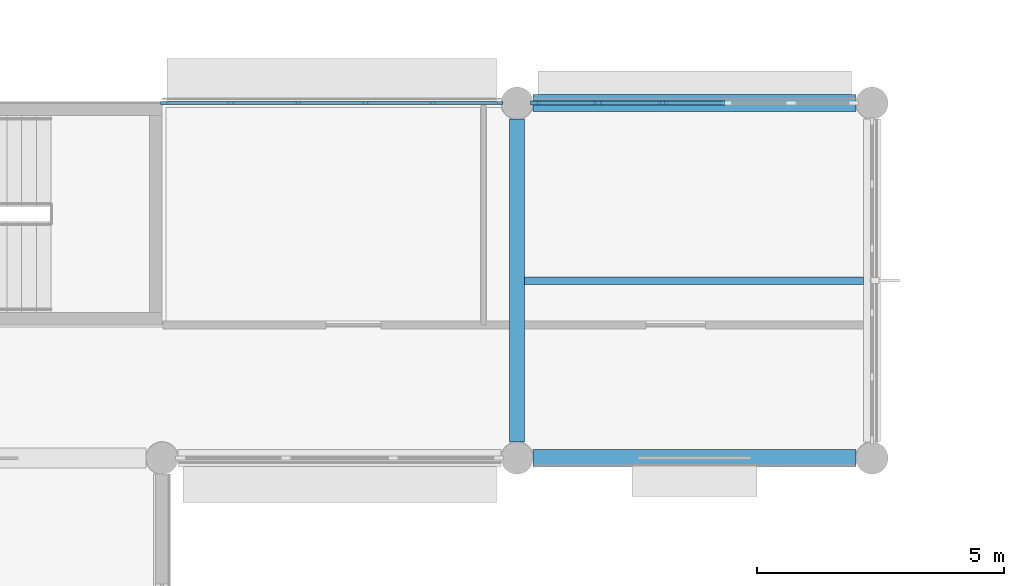
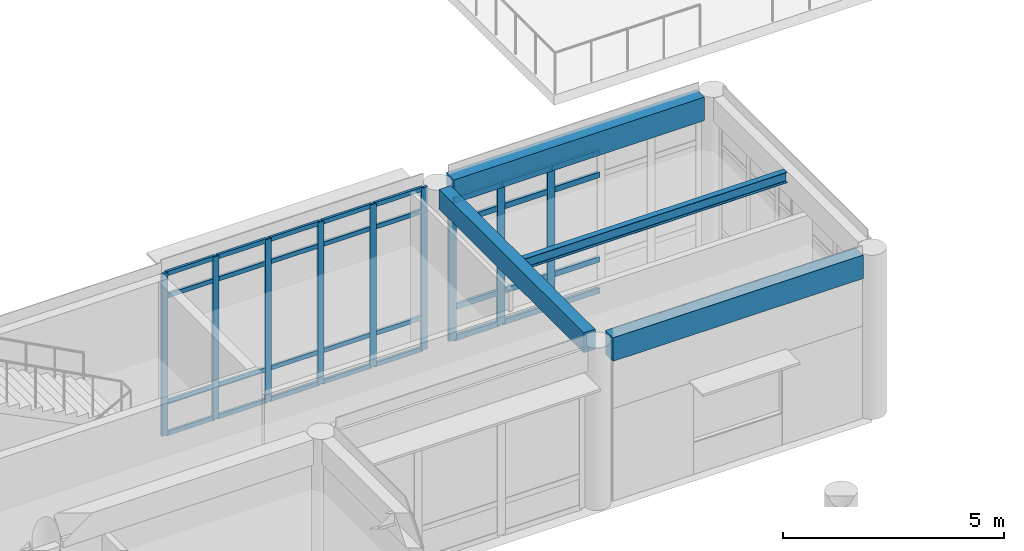
# One storey, part 15 of 92: 41 members, 4 beams, 2 elements without a shape of their own.
"""IFC4 building model written with IfcOpenShell, lengths in metres."""

from ifc_helpers import new_model, si_unit, direction, frame, origin, origin_2d, place, context, subcontext, project, spatial, rectangle, i_section, extrude, material, layer, layer_set, material_profile, profile_set, type_object, element, aggregate, save


model = new_model("IFC4")

# Units and contexts
model_context = context("Model", 3, precision=1e-05, world=origin(), true_north=direction((0.0, 1.0)))
body_context = subcontext(model_context, "Body", "Model", "MODEL_VIEW")
ifc_project = project(units=[si_unit("LENGTHUNIT", "METRE"), si_unit("AREAUNIT", "SQUARE_METRE"), si_unit("VOLUMEUNIT", "CUBIC_METRE"), si_unit("PLANEANGLEUNIT", "RADIAN"), si_unit("MASSUNIT", "GRAM", prefix="KILO")], contexts=[model_context])

# Site, building, storey
site_placement = place(None, origin())
site = spatial("IfcSite", under=ifc_project, at=site_placement, CompositionType="ELEMENT")
building_placement = place(site_placement, origin())
building = spatial("IfcBuilding", under=site, at=building_placement, Name="Namkhue Oval Health Centre", CompositionType="ELEMENT")
storey_placement = place(building_placement, frame((0.0, 0.0, 4.800048828125)))
storey = spatial("IfcBuildingStorey", under=building, at=storey_placement, Name="L01", CompositionType="ELEMENT", Elevation=4.800048828125)

# Curtain wall, members
ifc_material_1 = material(Name="Anodised aluminium EN AW-6063 T6", Category="aluminium")
ifc_layer_1 = layer(ifc_material_1, 0.159912109375)
ifc_layer_set_1 = layer_set([ifc_layer_1], Name="Anodised aluminium EN AW-6063 T6")
curtain_wall_type_1 = type_object("IfcCurtainWallType", Name="UNITISED CURTAIN WALL M1500", PredefinedType="NOTDEFINED", material=ifc_layer_set_1)
curtain_wall_1_placement = place(storey_placement, origin())
curtain_wall_1 = element("IfcCurtainWall", 1, at=curtain_wall_1_placement, inside=storey, type_object=curtain_wall_type_1, Name="Volume V5 L01 Unitised Curtain Wall 195", PredefinedType="NOTDEFINED")
ifc_material_profile_1 = material_profile(ifc_material_1, rectangle(XDim=0.06494140625, YDim=0.159912109375, at=origin_2d()), Name="ALU 65x160")
ifc_profile_set_1 = profile_set([ifc_material_profile_1], Name="Anodised aluminium EN AW-6063 T6")
member_type_1 = type_object("IfcMemberType", Name="CURTAIN WALL MULLION 65X160", PredefinedType="MULLION", material=ifc_profile_set_1)
member_1_placement = place(storey_placement, frame((129.232421875, 28.800048828125, 0.0), z_axis=(0.0, 0.0, 1.0), x_axis=(0.0, -1.0, 0.0)))
member_1 = element("IfcMember", 2, at=member_1_placement, type_object=member_type_1, Name="CW-03 mullion 1", PredefinedType="MULLION", context=body_context, shape_type="SweptSolid", body=[
    extrude(rectangle(XDim=0.06494140625, YDim=0.159912109375, at=origin_2d()), origin(), (0.0, 0.0, 1.0), 4.489990234375),
])
member_2_placement = place(storey_placement, frame((127.8955078125, 28.800048828125, 0.0), z_axis=(0.0, 0.0, 1.0), x_axis=(0.0, -1.0, 0.0)))
member_2 = element("IfcMember", 3, at=member_2_placement, type_object=member_type_1, Name="CW-03 mullion 2", PredefinedType="MULLION", context=body_context, shape_type="SweptSolid", body=[
    extrude(rectangle(XDim=0.06494140625, YDim=0.159912109375, at=origin_2d()), origin(), (0.0, 0.0, 1.0), 4.489990234375),
])
member_3_placement = place(storey_placement, frame((126.52587890625, 28.800048828125, 0.0), z_axis=(0.0, 0.0, 1.0), x_axis=(0.0, -1.0, 0.0)))
member_3 = element("IfcMember", 4, at=member_3_placement, type_object=member_type_1, Name="CW-03 mullion 3", PredefinedType="MULLION", context=body_context, shape_type="SweptSolid", body=[
    extrude(rectangle(XDim=0.06494140625, YDim=0.159912109375, at=origin_2d()), origin(), (0.0, 0.0, 1.0), 4.489990234375),
])
member_4_placement = place(storey_placement, frame((125.15625, 28.800048828125, 0.0), z_axis=(0.0, 0.0, 1.0), x_axis=(0.0, -1.0, 0.0)))
member_4 = element("IfcMember", 5, at=member_4_placement, type_object=member_type_1, Name="CW-03 mullion 4", PredefinedType="MULLION", context=body_context, shape_type="SweptSolid", body=[
    extrude(rectangle(XDim=0.06494140625, YDim=0.159912109375, at=origin_2d()), origin(), (0.0, 0.0, 1.0), 4.489990234375),
])
member_5_placement = place(storey_placement, frame((123.78662109375, 28.800048828125, 0.0), z_axis=(0.0, 0.0, 1.0), x_axis=(0.0, -1.0, 0.0)))
member_5 = element("IfcMember", 6, at=member_5_placement, type_object=member_type_1, Name="CW-03 mullion 5", PredefinedType="MULLION", context=body_context, shape_type="SweptSolid", body=[
    extrude(rectangle(XDim=0.06494140625, YDim=0.159912109375, at=origin_2d()), origin(), (0.0, 0.0, 1.0), 4.489990234375),
])
member_6_placement = place(storey_placement, frame((122.449462890625, 28.800048828125, 0.0), z_axis=(0.0, 0.0, 1.0), x_axis=(0.0, -1.0, 0.0)))
member_6 = element("IfcMember", 7, at=member_6_placement, type_object=member_type_1, Name="CW-03 mullion 6", PredefinedType="MULLION", context=body_context, shape_type="SweptSolid", body=[
    extrude(rectangle(XDim=0.06494140625, YDim=0.159912109375, at=origin_2d()), origin(), (0.0, 0.0, 1.0), 4.489990234375),
])

ifc_layer_2 = layer(ifc_material_1, 0.159912109375)
ifc_layer_set_2 = layer_set([ifc_layer_2], Name="Anodised aluminium EN AW-6063 T6")
curtain_wall_type_2 = type_object("IfcCurtainWallType", Name="UNITISED CURTAIN WALL M1350", PredefinedType="NOTDEFINED", material=ifc_layer_set_2)
curtain_wall_2_placement = place(storey_placement, origin())
curtain_wall_2 = element("IfcCurtainWall", 8, at=curtain_wall_2_placement, inside=storey, type_object=curtain_wall_type_2, Name="Volume V5 L01 Unitised Curtain Wall 194", PredefinedType="NOTDEFINED")
ifc_material_profile_2 = material_profile(ifc_material_1, rectangle(XDim=0.074951171875, YDim=0.199951171875, at=origin_2d()), Name="ALU 75x200")
ifc_profile_set_2 = profile_set([ifc_material_profile_2], Name="Anodised aluminium EN AW-6063 T6")
member_type_2 = type_object("IfcMemberType", Name="CURTAIN WALL MULLION 75X200", PredefinedType="MULLION", material=ifc_profile_set_2)
member_7_placement = place(storey_placement, frame((132.547119140625, 28.800048828125, 0.0), z_axis=(0.0, 0.0, 1.0), x_axis=(0.0, -1.0, 0.0)))
member_7 = element("IfcMember", 9, at=member_7_placement, type_object=member_type_2, Name="CW-02 mullion 4", PredefinedType="MULLION", context=body_context, shape_type="SweptSolid", body=[
    extrude(rectangle(XDim=0.074951171875, YDim=0.199951171875, at=origin_2d()), origin(), (0.0, 0.0, 1.0), 3.887939453125),
])
member_8_placement = place(storey_placement, frame((131.240966796875, 28.800048828125, 0.0), z_axis=(0.0, 0.0, 1.0), x_axis=(0.0, -1.0, 0.0)))
member_8 = element("IfcMember", 10, at=member_8_placement, type_object=member_type_2, Name="CW-02 mullion 5", PredefinedType="MULLION", context=body_context, shape_type="SweptSolid", body=[
    extrude(rectangle(XDim=0.074951171875, YDim=0.199951171875, at=origin_2d()), origin(), (0.0, 0.0, 1.0), 3.887939453125),
])
member_9_placement = place(storey_placement, frame((129.972412109375, 28.800048828125, 0.0), z_axis=(0.0, 0.0, 1.0), x_axis=(0.0, -1.0, 0.0)))
member_9 = element("IfcMember", 11, at=member_9_placement, type_object=member_type_2, Name="CW-02 mullion 6", PredefinedType="MULLION", context=body_context, shape_type="SweptSolid", body=[
    extrude(rectangle(XDim=0.074951171875, YDim=0.199951171875, at=origin_2d()), origin(), (0.0, 0.0, 1.0), 3.887939453125),
])

# Member
ifc_material_profile_3 = material_profile(ifc_material_1, rectangle(XDim=0.06494140625, YDim=0.1201171875, at=origin_2d()), Name="ALU 65x120")
ifc_profile_set_3 = profile_set([ifc_material_profile_3], Name="Anodised aluminium EN AW-6063 T6")
member_type_3 = type_object("IfcMemberType", Name="CURTAIN WALL TRANSOM 65X120", PredefinedType="USERDEFINED", material=ifc_profile_set_3)
member_10_placement = place(storey_placement, frame((129.199951171875, 28.800048828125, 0.032470703125), z_axis=(-1.0, 0.0, 0.0), x_axis=(0.0, -1.0, 0.0)))
member_10 = element("IfcMember", 12, at=member_10_placement, type_object=member_type_3, Name="CW-03 transom 1.1", ObjectType="TRANSOM", PredefinedType="USERDEFINED", context=body_context, shape_type="SweptSolid", body=[
    extrude(rectangle(XDim=0.06494140625, YDim=0.1201171875, at=origin_2d()), origin(), (0.0, 0.0, 1.0), 1.27197265625),
])

member_11_placement = place(storey_placement, frame((129.199951171875, 28.800048828125, 0.89990234375), z_axis=(-1.0, 0.0, 0.0), x_axis=(0.0, -1.0, 0.0)))
member_11 = element("IfcMember", 13, at=member_11_placement, type_object=member_type_3, Name="CW-03 transom 1.2", ObjectType="TRANSOM", PredefinedType="USERDEFINED", context=body_context, shape_type="SweptSolid", body=[
    extrude(rectangle(XDim=0.06494140625, YDim=0.1201171875, at=origin_2d()), origin(), (0.0, 0.0, 1.0), 1.27197265625),
])

member_12_placement = place(storey_placement, frame((129.199951171875, 28.800048828125, 3.83984375), z_axis=(-1.0, 0.0, 0.0), x_axis=(0.0, -1.0, 0.0)))
member_12 = element("IfcMember", 14, at=member_12_placement, type_object=member_type_3, Name="CW-03 transom 1.3", ObjectType="TRANSOM", PredefinedType="USERDEFINED", context=body_context, shape_type="SweptSolid", body=[
    extrude(rectangle(XDim=0.06494140625, YDim=0.1201171875, at=origin_2d()), origin(), (0.0, 0.0, 1.0), 1.27197265625),
])

member_13_placement = place(storey_placement, frame((129.199951171875, 28.800048828125, 4.45751953125), z_axis=(-1.0, 0.0, 0.0), x_axis=(0.0, -1.0, 0.0)))
member_13 = element("IfcMember", 15, at=member_13_placement, type_object=member_type_3, Name="CW-03 transom 1.4", ObjectType="TRANSOM", PredefinedType="USERDEFINED", context=body_context, shape_type="SweptSolid", body=[
    extrude(rectangle(XDim=0.06494140625, YDim=0.1201171875, at=origin_2d()), origin(), (0.0, 0.0, 1.0), 1.27197265625),
])

member_14_placement = place(storey_placement, frame((127.86279296875, 28.800048828125, 0.032470703125), z_axis=(-1.0, 0.0, 0.0), x_axis=(0.0, -1.0, 0.0)))
member_14 = element("IfcMember", 16, at=member_14_placement, type_object=member_type_3, Name="CW-03 transom 2.1", ObjectType="TRANSOM", PredefinedType="USERDEFINED", context=body_context, shape_type="SweptSolid", body=[
    extrude(rectangle(XDim=0.06494140625, YDim=0.1201171875, at=origin_2d()), origin(), (0.0, 0.0, 1.0), 1.304443359375),
])

member_15_placement = place(storey_placement, frame((127.86279296875, 28.800048828125, 0.89990234375), z_axis=(-1.0, 0.0, 0.0), x_axis=(0.0, -1.0, 0.0)))
member_15 = element("IfcMember", 17, at=member_15_placement, type_object=member_type_3, Name="CW-03 transom 2.2", ObjectType="TRANSOM", PredefinedType="USERDEFINED", context=body_context, shape_type="SweptSolid", body=[
    extrude(rectangle(XDim=0.06494140625, YDim=0.1201171875, at=origin_2d()), origin(), (0.0, 0.0, 1.0), 1.304443359375),
])

member_16_placement = place(storey_placement, frame((127.86279296875, 28.800048828125, 3.83984375), z_axis=(-1.0, 0.0, 0.0), x_axis=(0.0, -1.0, 0.0)))
member_16 = element("IfcMember", 18, at=member_16_placement, type_object=member_type_3, Name="CW-03 transom 2.3", ObjectType="TRANSOM", PredefinedType="USERDEFINED", context=body_context, shape_type="SweptSolid", body=[
    extrude(rectangle(XDim=0.06494140625, YDim=0.1201171875, at=origin_2d()), origin(), (0.0, 0.0, 1.0), 1.304443359375),
])

member_17_placement = place(storey_placement, frame((127.86279296875, 28.800048828125, 4.45751953125), z_axis=(-1.0, 0.0, 0.0), x_axis=(0.0, -1.0, 0.0)))
member_17 = element("IfcMember", 19, at=member_17_placement, type_object=member_type_3, Name="CW-03 transom 2.4", ObjectType="TRANSOM", PredefinedType="USERDEFINED", context=body_context, shape_type="SweptSolid", body=[
    extrude(rectangle(XDim=0.06494140625, YDim=0.1201171875, at=origin_2d()), origin(), (0.0, 0.0, 1.0), 1.304443359375),
])

member_18_placement = place(storey_placement, frame((126.493408203125, 28.800048828125, 0.032470703125), z_axis=(-1.0, 0.0, 0.0), x_axis=(0.0, -1.0, 0.0)))
member_18 = element("IfcMember", 20, at=member_18_placement, type_object=member_type_3, Name="CW-03 transom 3.1", ObjectType="TRANSOM", PredefinedType="USERDEFINED", context=body_context, shape_type="SweptSolid", body=[
    extrude(rectangle(XDim=0.06494140625, YDim=0.1201171875, at=origin_2d()), origin(), (0.0, 0.0, 1.0), 1.3046875),
])

member_19_placement = place(storey_placement, frame((126.493408203125, 28.800048828125, 0.89990234375), z_axis=(-1.0, 0.0, 0.0), x_axis=(0.0, -1.0, 0.0)))
member_19 = element("IfcMember", 21, at=member_19_placement, type_object=member_type_3, Name="CW-03 transom 3.2", ObjectType="TRANSOM", PredefinedType="USERDEFINED", context=body_context, shape_type="SweptSolid", body=[
    extrude(rectangle(XDim=0.06494140625, YDim=0.1201171875, at=origin_2d()), origin(), (0.0, 0.0, 1.0), 1.3046875),
])

member_20_placement = place(storey_placement, frame((126.493408203125, 28.800048828125, 3.83984375), z_axis=(-1.0, 0.0, 0.0), x_axis=(0.0, -1.0, 0.0)))
member_20 = element("IfcMember", 22, at=member_20_placement, type_object=member_type_3, Name="CW-03 transom 3.3", ObjectType="TRANSOM", PredefinedType="USERDEFINED", context=body_context, shape_type="SweptSolid", body=[
    extrude(rectangle(XDim=0.06494140625, YDim=0.1201171875, at=origin_2d()), origin(), (0.0, 0.0, 1.0), 1.3046875),
])

member_21_placement = place(storey_placement, frame((126.493408203125, 28.800048828125, 4.45751953125), z_axis=(-1.0, 0.0, 0.0), x_axis=(0.0, -1.0, 0.0)))
member_21 = element("IfcMember", 23, at=member_21_placement, type_object=member_type_3, Name="CW-03 transom 3.4", ObjectType="TRANSOM", PredefinedType="USERDEFINED", context=body_context, shape_type="SweptSolid", body=[
    extrude(rectangle(XDim=0.06494140625, YDim=0.1201171875, at=origin_2d()), origin(), (0.0, 0.0, 1.0), 1.3046875),
])

member_22_placement = place(storey_placement, frame((125.123779296875, 28.800048828125, 0.032470703125), z_axis=(-1.0, 0.0, 0.0), x_axis=(0.0, -1.0, 0.0)))
member_22 = element("IfcMember", 24, at=member_22_placement, type_object=member_type_3, Name="CW-03 transom 4.1", ObjectType="TRANSOM", PredefinedType="USERDEFINED", context=body_context, shape_type="SweptSolid", body=[
    extrude(rectangle(XDim=0.06494140625, YDim=0.1201171875, at=origin_2d()), origin(), (0.0, 0.0, 1.0), 1.3046875),
])

member_23_placement = place(storey_placement, frame((125.123779296875, 28.800048828125, 0.89990234375), z_axis=(-1.0, 0.0, 0.0), x_axis=(0.0, -1.0, 0.0)))
member_23 = element("IfcMember", 25, at=member_23_placement, type_object=member_type_3, Name="CW-03 transom 4.2", ObjectType="TRANSOM", PredefinedType="USERDEFINED", context=body_context, shape_type="SweptSolid", body=[
    extrude(rectangle(XDim=0.06494140625, YDim=0.1201171875, at=origin_2d()), origin(), (0.0, 0.0, 1.0), 1.3046875),
])

member_24_placement = place(storey_placement, frame((125.123779296875, 28.800048828125, 3.83984375), z_axis=(-1.0, 0.0, 0.0), x_axis=(0.0, -1.0, 0.0)))
member_24 = element("IfcMember", 26, at=member_24_placement, type_object=member_type_3, Name="CW-03 transom 4.3", ObjectType="TRANSOM", PredefinedType="USERDEFINED", context=body_context, shape_type="SweptSolid", body=[
    extrude(rectangle(XDim=0.06494140625, YDim=0.1201171875, at=origin_2d()), origin(), (0.0, 0.0, 1.0), 1.3046875),
])

member_25_placement = place(storey_placement, frame((125.123779296875, 28.800048828125, 4.45751953125), z_axis=(-1.0, 0.0, 0.0), x_axis=(0.0, -1.0, 0.0)))
member_25 = element("IfcMember", 27, at=member_25_placement, type_object=member_type_3, Name="CW-03 transom 4.4", ObjectType="TRANSOM", PredefinedType="USERDEFINED", context=body_context, shape_type="SweptSolid", body=[
    extrude(rectangle(XDim=0.06494140625, YDim=0.1201171875, at=origin_2d()), origin(), (0.0, 0.0, 1.0), 1.3046875),
])

member_26_placement = place(storey_placement, frame((123.754150390625, 28.800048828125, 0.032470703125), z_axis=(-1.0, 0.0, 0.0), x_axis=(0.0, -1.0, 0.0)))
member_26 = element("IfcMember", 28, at=member_26_placement, type_object=member_type_3, Name="CW-03 transom 5.1", ObjectType="TRANSOM", PredefinedType="USERDEFINED", context=body_context, shape_type="SweptSolid", body=[
    extrude(rectangle(XDim=0.06494140625, YDim=0.1201171875, at=origin_2d()), origin(), (0.0, 0.0, 1.0), 1.272216796875),
])

member_27_placement = place(storey_placement, frame((123.754150390625, 28.800048828125, 0.89990234375), z_axis=(-1.0, 0.0, 0.0), x_axis=(0.0, -1.0, 0.0)))
member_27 = element("IfcMember", 29, at=member_27_placement, type_object=member_type_3, Name="CW-03 transom 5.2", ObjectType="TRANSOM", PredefinedType="USERDEFINED", context=body_context, shape_type="SweptSolid", body=[
    extrude(rectangle(XDim=0.06494140625, YDim=0.1201171875, at=origin_2d()), origin(), (0.0, 0.0, 1.0), 1.272216796875),
])

member_28_placement = place(storey_placement, frame((123.754150390625, 28.800048828125, 3.83984375), z_axis=(-1.0, 0.0, 0.0), x_axis=(0.0, -1.0, 0.0)))
member_28 = element("IfcMember", 30, at=member_28_placement, type_object=member_type_3, Name="CW-03 transom 5.3", ObjectType="TRANSOM", PredefinedType="USERDEFINED", context=body_context, shape_type="SweptSolid", body=[
    extrude(rectangle(XDim=0.06494140625, YDim=0.1201171875, at=origin_2d()), origin(), (0.0, 0.0, 1.0), 1.272216796875),
])

member_29_placement = place(storey_placement, frame((123.754150390625, 28.800048828125, 4.45751953125), z_axis=(-1.0, 0.0, 0.0), x_axis=(0.0, -1.0, 0.0)))
member_29 = element("IfcMember", 31, at=member_29_placement, type_object=member_type_3, Name="CW-03 transom 5.4", ObjectType="TRANSOM", PredefinedType="USERDEFINED", context=body_context, shape_type="SweptSolid", body=[
    extrude(rectangle(XDim=0.06494140625, YDim=0.1201171875, at=origin_2d()), origin(), (0.0, 0.0, 1.0), 1.272216796875),
])

aggregate(curtain_wall_1, [member_1, member_2, member_3, member_4, member_5, member_6, member_10, member_11, member_12, member_13, member_14, member_15, member_16, member_17, member_18, member_19, member_20, member_21, member_22, member_23, member_24, member_25, member_26, member_27, member_28, member_29])

ifc_material_profile_4 = material_profile(ifc_material_1, rectangle(XDim=0.074951171875, YDim=0.14990234375, at=origin_2d()), Name="ALU 75x150")
ifc_profile_set_4 = profile_set([ifc_material_profile_4], Name="Anodised aluminium EN AW-6063 T6")
member_type_4 = type_object("IfcMemberType", Name="CURTAIN WALL TRANSOM 75X150", PredefinedType="USERDEFINED", material=ifc_profile_set_4)
member_30_placement = place(storey_placement, frame((133.8154296875, 28.800048828125, 0.037353515625), z_axis=(-1.0, 0.0, 0.0), x_axis=(0.0, -1.0, 0.0)))
member_30 = element("IfcMember", 32, at=member_30_placement, type_object=member_type_4, Name="CW-02 transom 3.1", ObjectType="TRANSOM", PredefinedType="USERDEFINED", context=body_context, shape_type="SweptSolid", body=[
    extrude(rectangle(XDim=0.074951171875, YDim=0.14990234375, at=origin_2d()), origin(), (0.0, 0.0, 1.0), 1.23095703125),
])

member_31_placement = place(storey_placement, frame((133.8154296875, 28.800048828125, 0.89990234375), z_axis=(-1.0, 0.0, 0.0), x_axis=(0.0, -1.0, 0.0)))
member_31 = element("IfcMember", 33, at=member_31_placement, type_object=member_type_4, Name="CW-02 transom 3.2", ObjectType="TRANSOM", PredefinedType="USERDEFINED", context=body_context, shape_type="SweptSolid", body=[
    extrude(rectangle(XDim=0.074951171875, YDim=0.14990234375, at=origin_2d()), origin(), (0.0, 0.0, 1.0), 1.23095703125),
])

member_32_placement = place(storey_placement, frame((133.8154296875, 28.800048828125, 3.238037109375), z_axis=(-1.0, 0.0, 0.0), x_axis=(0.0, -1.0, 0.0)))
member_32 = element("IfcMember", 34, at=member_32_placement, type_object=member_type_4, Name="CW-02 transom 3.3", ObjectType="TRANSOM", PredefinedType="USERDEFINED", context=body_context, shape_type="SweptSolid", body=[
    extrude(rectangle(XDim=0.074951171875, YDim=0.14990234375, at=origin_2d()), origin(), (0.0, 0.0, 1.0), 1.23095703125),
])

member_33_placement = place(storey_placement, frame((133.8154296875, 28.800048828125, 3.850341796875), z_axis=(-1.0, 0.0, 0.0), x_axis=(0.0, -1.0, 0.0)))
member_33 = element("IfcMember", 35, at=member_33_placement, type_object=member_type_4, Name="CW-02 transom 3.4", ObjectType="TRANSOM", PredefinedType="USERDEFINED", context=body_context, shape_type="SweptSolid", body=[
    extrude(rectangle(XDim=0.074951171875, YDim=0.14990234375, at=origin_2d()), origin(), (0.0, 0.0, 1.0), 1.23095703125),
])

member_34_placement = place(storey_placement, frame((132.509521484375, 28.800048828125, 0.037353515625), z_axis=(-1.0, 0.0, 0.0), x_axis=(0.0, -1.0, 0.0)))
member_34 = element("IfcMember", 36, at=member_34_placement, type_object=member_type_4, Name="CW-02 transom 4.1", ObjectType="TRANSOM", PredefinedType="USERDEFINED", context=body_context, shape_type="SweptSolid", body=[
    extrude(rectangle(XDim=0.074951171875, YDim=0.14990234375, at=origin_2d()), origin(), (0.0, 0.0, 1.0), 1.23095703125),
])

member_35_placement = place(storey_placement, frame((132.509521484375, 28.800048828125, 0.89990234375), z_axis=(-1.0, 0.0, 0.0), x_axis=(0.0, -1.0, 0.0)))
member_35 = element("IfcMember", 37, at=member_35_placement, type_object=member_type_4, Name="CW-02 transom 4.2", ObjectType="TRANSOM", PredefinedType="USERDEFINED", context=body_context, shape_type="SweptSolid", body=[
    extrude(rectangle(XDim=0.074951171875, YDim=0.14990234375, at=origin_2d()), origin(), (0.0, 0.0, 1.0), 1.23095703125),
])

member_36_placement = place(storey_placement, frame((132.509521484375, 28.800048828125, 3.238037109375), z_axis=(-1.0, 0.0, 0.0), x_axis=(0.0, -1.0, 0.0)))
member_36 = element("IfcMember", 38, at=member_36_placement, type_object=member_type_4, Name="CW-02 transom 4.3", ObjectType="TRANSOM", PredefinedType="USERDEFINED", context=body_context, shape_type="SweptSolid", body=[
    extrude(rectangle(XDim=0.074951171875, YDim=0.14990234375, at=origin_2d()), origin(), (0.0, 0.0, 1.0), 1.23095703125),
])

member_37_placement = place(storey_placement, frame((132.509521484375, 28.800048828125, 3.850341796875), z_axis=(-1.0, 0.0, 0.0), x_axis=(0.0, -1.0, 0.0)))
member_37 = element("IfcMember", 39, at=member_37_placement, type_object=member_type_4, Name="CW-02 transom 4.4", ObjectType="TRANSOM", PredefinedType="USERDEFINED", context=body_context, shape_type="SweptSolid", body=[
    extrude(rectangle(XDim=0.074951171875, YDim=0.14990234375, at=origin_2d()), origin(), (0.0, 0.0, 1.0), 1.23095703125),
])

member_38_placement = place(storey_placement, frame((131.20361328125, 28.800048828125, 0.037353515625), z_axis=(-1.0, 0.0, 0.0), x_axis=(0.0, -1.0, 0.0)))
member_38 = element("IfcMember", 40, at=member_38_placement, type_object=member_type_4, Name="CW-02 transom 5.1", ObjectType="TRANSOM", PredefinedType="USERDEFINED", context=body_context, shape_type="SweptSolid", body=[
    extrude(rectangle(XDim=0.074951171875, YDim=0.14990234375, at=origin_2d()), origin(), (0.0, 0.0, 1.0), 1.193603515625),
])

member_39_placement = place(storey_placement, frame((131.20361328125, 28.800048828125, 0.89990234375), z_axis=(-1.0, 0.0, 0.0), x_axis=(0.0, -1.0, 0.0)))
member_39 = element("IfcMember", 41, at=member_39_placement, type_object=member_type_4, Name="CW-02 transom 5.2", ObjectType="TRANSOM", PredefinedType="USERDEFINED", context=body_context, shape_type="SweptSolid", body=[
    extrude(rectangle(XDim=0.074951171875, YDim=0.14990234375, at=origin_2d()), origin(), (0.0, 0.0, 1.0), 1.193603515625),
])

member_40_placement = place(storey_placement, frame((131.20361328125, 28.800048828125, 3.238037109375), z_axis=(-1.0, 0.0, 0.0), x_axis=(0.0, -1.0, 0.0)))
member_40 = element("IfcMember", 42, at=member_40_placement, type_object=member_type_4, Name="CW-02 transom 5.3", ObjectType="TRANSOM", PredefinedType="USERDEFINED", context=body_context, shape_type="SweptSolid", body=[
    extrude(rectangle(XDim=0.074951171875, YDim=0.14990234375, at=origin_2d()), origin(), (0.0, 0.0, 1.0), 1.193603515625),
])

member_41_placement = place(storey_placement, frame((131.20361328125, 28.800048828125, 3.850341796875), z_axis=(-1.0, 0.0, 0.0), x_axis=(0.0, -1.0, 0.0)))
member_41 = element("IfcMember", 43, at=member_41_placement, type_object=member_type_4, Name="CW-02 transom 5.4", ObjectType="TRANSOM", PredefinedType="USERDEFINED", context=body_context, shape_type="SweptSolid", body=[
    extrude(rectangle(XDim=0.074951171875, YDim=0.14990234375, at=origin_2d()), origin(), (0.0, 0.0, 1.0), 1.193603515625),
])

aggregate(curtain_wall_2, [member_7, member_8, member_9, member_30, member_31, member_32, member_33, member_34, member_35, member_36, member_37, member_38, member_39, member_40, member_41])

# Beams
ifc_material_2 = material(Name="Reinforced concrete C30/37 (TCVN B35)", Category="concrete")
ifc_material_profile_5 = material_profile(ifc_material_2, rectangle(XDim=0.300048828125, YDim=0.550048828125, at=origin_2d()), Name="RC 300x550")
ifc_profile_set_5 = profile_set([ifc_material_profile_5], Name="Reinforced concrete C30/37 (TCVN B35)")
beam_type_1 = type_object("IfcBeamType", Name="FLOOR BEAM RC 300X550", PredefinedType="BEAM", material=ifc_profile_set_5)
beam_1_placement = place(storey_placement, frame((129.60009765625, 21.925048828125, 4.262939453125), z_axis=(0.0, 1.0, 0.0), x_axis=(-1.0, 0.0, 0.0)))
element("IfcBeam", 44, at=beam_1_placement, inside=storey, type_object=beam_type_1, Name="Volume V5 L02 Beam 19/D-E", PredefinedType="BEAM", context=body_context, shape_type="SweptSolid", body=[
    extrude(rectangle(XDim=0.300048828125, YDim=0.550048828125, at=origin_2d()), origin(), (0.0, 0.0, 1.0), 6.550048828125),
])
ifc_material_3 = material(Name="Reinforced concrete C35/45 (TCVN B40)", Category="concrete")
ifc_material_profile_6 = material_profile(ifc_material_3, rectangle(XDim=0.35009765625, YDim=0.64990234375, at=origin_2d()), Name="RC 350x650")
ifc_profile_set_6 = profile_set([ifc_material_profile_6], Name="Reinforced concrete C35/45 (TCVN B40)")
beam_type_2 = type_object("IfcBeamType", Name="PERIMETER SPANDREL BEAM 350X650", PredefinedType="SPANDREL", material=ifc_profile_set_6)
for number, where, z_axis, x_axis, name in (
    (45, (129.925048828125, 21.60009765625, 4.212890625), (1.0, 0.0, 0.0), (0.0, 1.0, 0.0), "Volume V5 L02 Girder D/19-20"),
    (46, (129.925048828125, 28.800048828125, 4.212890625), (1.0, 0.0, 0.0), (0.0, 1.0, 0.0), "Volume V5 L02 Girder E/19-20"),
):
    element("IfcBeam", number, at=place(storey_placement, frame(where, z_axis=z_axis, x_axis=x_axis)), inside=storey, type_object=beam_type_2, Name=name, PredefinedType="SPANDREL", context=body_context, shape_type="SweptSolid", body=[
        extrude(rectangle(XDim=0.35009765625, YDim=0.64990234375, at=origin_2d()), origin(), (0.0, 0.0, 1.0), 6.550048828125),
    ])
ifc_material_4 = material(Name="Structural steel EN 10025-2 S355JR (TCVN 5575:2024)", Category="steel")
ifc_material_profile_7 = material_profile(ifc_material_4, i_section(OverallWidth=0.14990234375, OverallDepth=0.300048828125, WebThickness=0.007080078125, FlangeThickness=0.0107421875, FilletRadius=0.014892578125, at=origin_2d()), Name="IPE 300")
ifc_profile_set_7 = profile_set([ifc_material_profile_7], Name="Structural steel EN 10025-2 S355JR (TCVN 5575:2024)")
beam_type_3 = type_object("IfcBeamType", Name="SECONDARY JOIST STEEL IPE 300", PredefinedType="JOIST", material=ifc_profile_set_7)
beam_2_placement = place(storey_placement, frame((129.75, 25.199951171875, 4.387939453125), z_axis=(1.0, 0.0, 0.0), x_axis=(0.0, 1.0, 0.0)))
element("IfcBeam", 47, at=beam_2_placement, inside=storey, type_object=beam_type_3, Name="Volume V5 L02 Secondary Joist 19-20", PredefinedType="JOIST", context=body_context, shape_type="SweptSolid", body=[
    extrude(i_section(OverallWidth=0.14990234375, OverallDepth=0.300048828125, WebThickness=0.007080078125, FlangeThickness=0.0107421875, FilletRadius=0.014892578125, at=origin_2d()), origin(), (0.0, 0.0, 1.0), 6.875),
])

save(model, "model.ifc")
